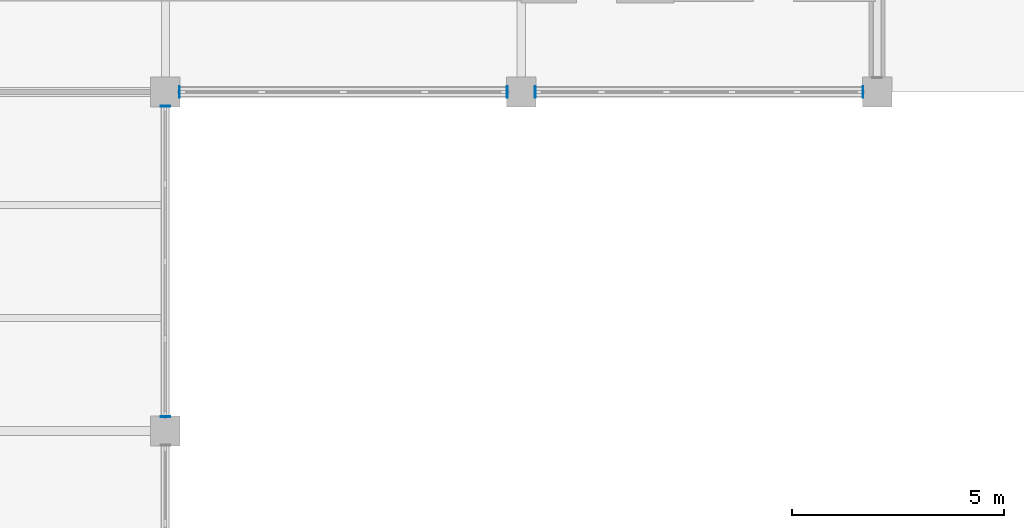
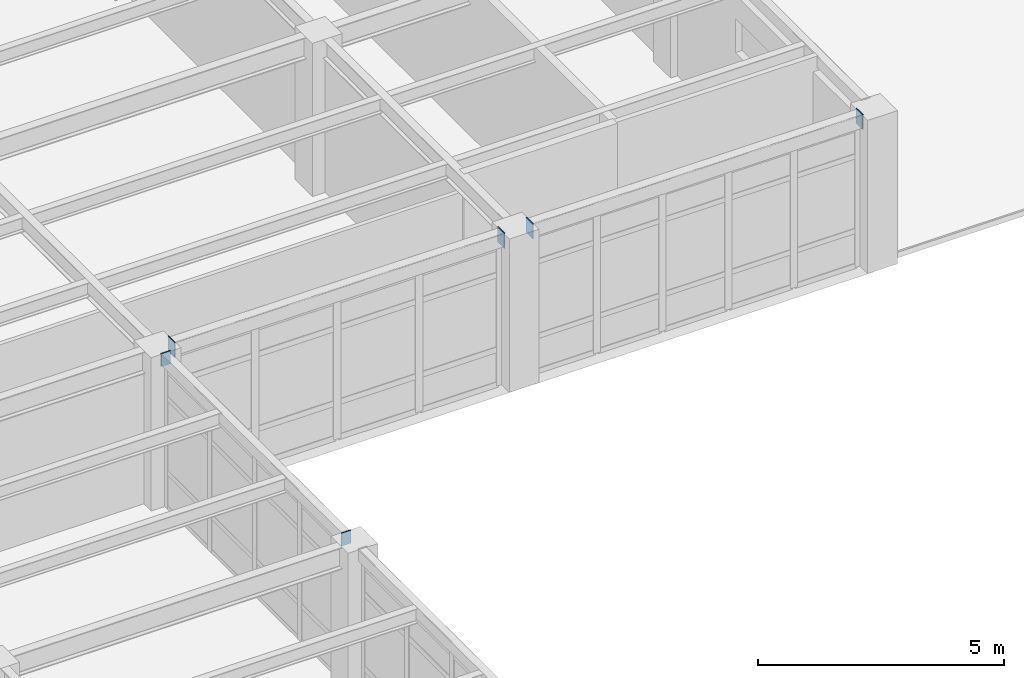
# One storey, part 103 of 138: 6 discrete accessories.
"""IFC4 building model written with IfcOpenShell, lengths in metres."""

from ifc_helpers import new_model, si_unit, direction, frame, origin, origin_2d, place, context, subcontext, project, spatial, rectangle, extrude, material, layer, layer_set, type_object, element, save


model = new_model("IFC4")

# Units and contexts
model_context = context("Model", 3, precision=1e-05, world=origin(), true_north=direction((0.0, 1.0)))
body_context = subcontext(model_context, "Body", "Model", "MODEL_VIEW")
ifc_project = project(units=[si_unit("LENGTHUNIT", "METRE"), si_unit("AREAUNIT", "SQUARE_METRE"), si_unit("VOLUMEUNIT", "CUBIC_METRE"), si_unit("PLANEANGLEUNIT", "RADIAN"), si_unit("MASSUNIT", "GRAM", prefix="KILO")], contexts=[model_context])

# Site, building, storey
site_placement = place(None, origin())
site = spatial("IfcSite", under=ifc_project, at=site_placement, CompositionType="ELEMENT")
building_placement = place(site_placement, origin())
building = spatial("IfcBuilding", under=site, at=building_placement, Name="Kranzveld Transit Interchange", CompositionType="ELEMENT")
storey_placement = place(building_placement, frame((0.0, 0.0, 5.43994140625)))
storey = spatial("IfcBuildingStorey", under=building, at=storey_placement, Name="L01", CompositionType="ELEMENT", Elevation=5.43994140625)

# Discrete accessories
ifc_material = material(Name="Steel S355JR", Category="steel")
ifc_layer = layer(ifc_material, 0.02001953125)
ifc_layer_set = layer_set([ifc_layer], Name="Steel S355JR")
discrete_accessory_type = type_object("IfcDiscreteAccessoryType", Name="Hollow Section End Cap Bracket 20 S355JR", PredefinedType="BRACKET", material=ifc_layer_set)
for number, where, z_axis, x_axis, name in (
    (1, (33.944091796875, 88.0, 3.625), (-1.0, 0.0, 0.0), (0.0, -1.0, 0.0), "Hollow Section End Cap SP-RHS350-1"),
    (2, (41.656005859375, 88.0, 3.625), (1.0, 0.0, 0.0), (0.0, 1.0, 0.0), "Hollow Section End Cap SP-RHS350-2"),
    (3, (42.343994140625, 88.0, 3.625), (-1.0, 0.0, 0.0), (0.0, -1.0, 0.0), "Hollow Section End Cap SP-RHS350-1"),
    (4, (50.055908203125, 88.0, 3.625), (1.0, 0.0, 0.0), (0.0, 1.0, 0.0), "Hollow Section End Cap SP-RHS350-2"),
):
    element("IfcDiscreteAccessory", number, at=place(storey_placement, frame(where, z_axis=z_axis, x_axis=x_axis)), inside=storey, type_object=discrete_accessory_type, Name=name, PredefinedType="BRACKET", context=body_context, shape_type="SweptSolid", body=[
        extrude(rectangle(XDim=0.27392578125, YDim=0.3740234375, at=origin_2d()), origin(), (0.0, 0.0, 1.0), 0.02001953125),
    ])
for number, where, z_axis, x_axis, name in (
    (5, (33.60009765625, 80.343994140625, 3.650146484375), (0.0, -1.0, 0.0), (1.0, 0.0, 0.0), "Hollow Section End Cap SP-RHS300-1"),
    (6, (33.60009765625, 87.656005859375, 3.650146484375), (0.0, 1.0, 0.0), (-1.0, 0.0, 0.0), "Hollow Section End Cap SP-RHS300-2"),
):
    element("IfcDiscreteAccessory", number, at=place(storey_placement, frame(where, z_axis=z_axis, x_axis=x_axis)), inside=storey, type_object=discrete_accessory_type, Name=name, PredefinedType="BRACKET", context=body_context, shape_type="SweptSolid", body=[
        extrude(rectangle(XDim=0.22412109375, YDim=0.323974609375, at=origin_2d()), origin(), (0.0, 0.0, 1.0), 0.02001953125),
    ])

save(model, "model.ifc")
